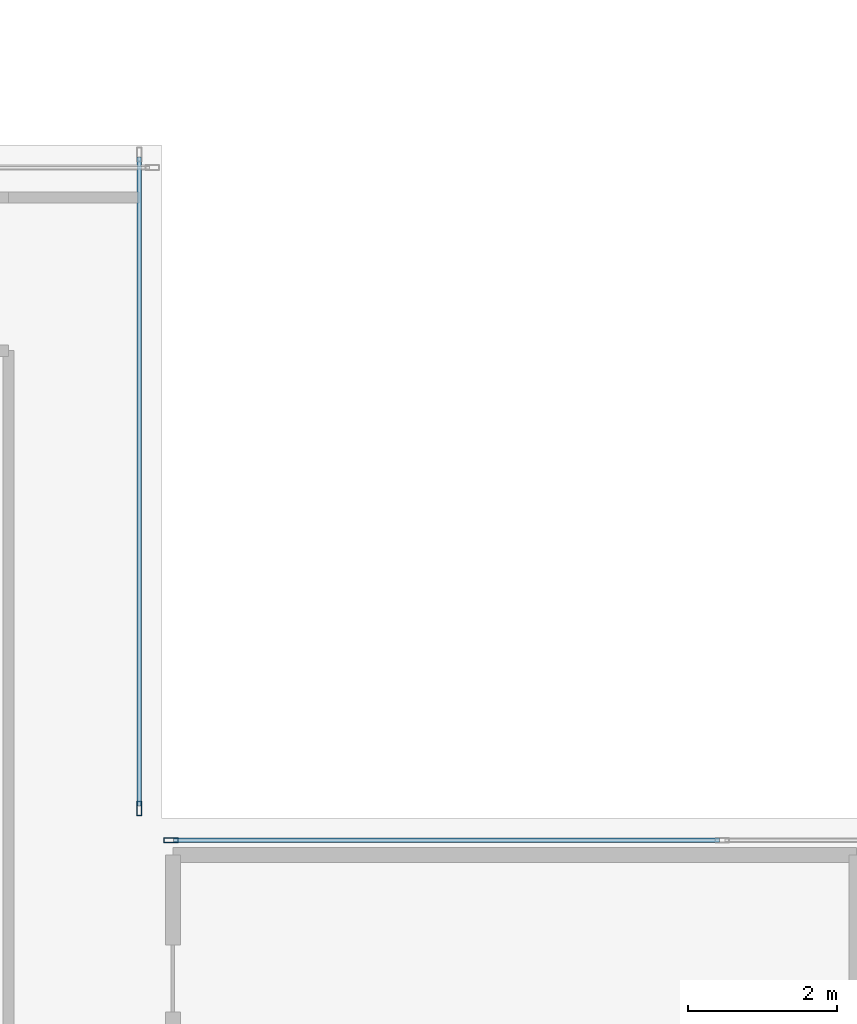
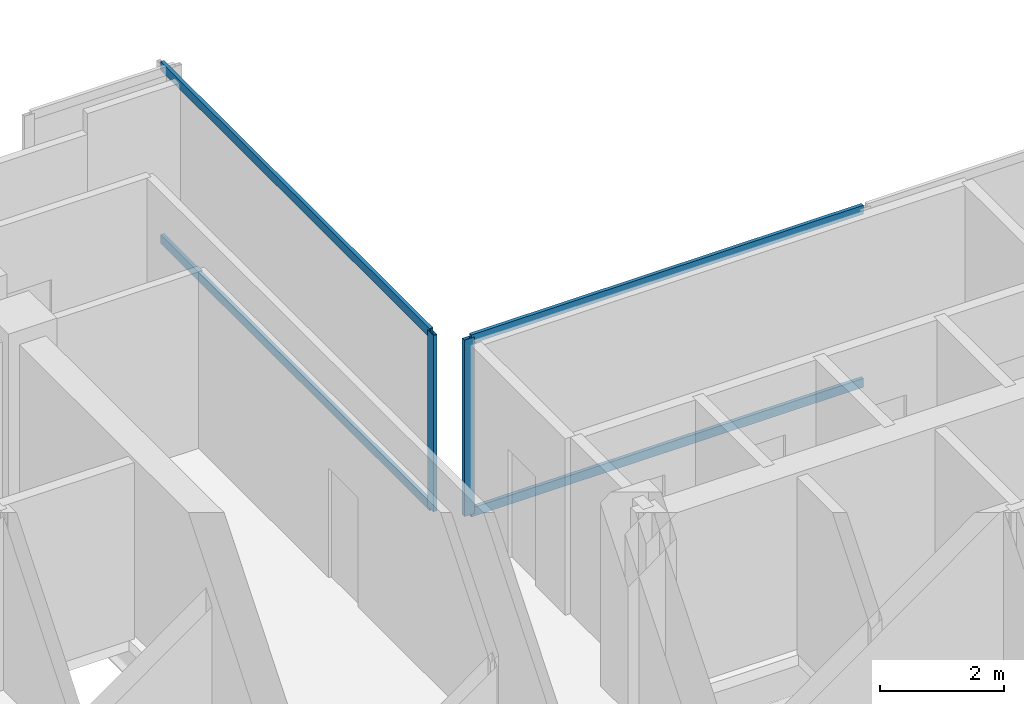
# One storey, part 10 of 26: 6 members, 2 elements without a shape of their own.
"""IFC4 building model written with IfcOpenShell, lengths in metres."""

from ifc_helpers import new_model, si_unit, direction, frame, origin, origin_2d, place, context, subcontext, project, spatial, hollow_rectangle, extrude, material, layer, layer_set, material_profile, profile_set, type_object, element, aggregate, save


model = new_model("IFC4")

# Units and contexts
model_context = context("Model", 3, precision=1e-05, world=origin(), true_north=direction((0.0, 1.0)))
body_context = subcontext(model_context, "Body", "Model", "MODEL_VIEW")
ifc_project = project(units=[si_unit("LENGTHUNIT", "METRE"), si_unit("AREAUNIT", "SQUARE_METRE"), si_unit("VOLUMEUNIT", "CUBIC_METRE"), si_unit("PLANEANGLEUNIT", "RADIAN"), si_unit("MASSUNIT", "GRAM", prefix="KILO"), si_unit("THERMODYNAMICTEMPERATUREUNIT", "KELVIN"), si_unit("POWERUNIT", "WATT")], contexts=[model_context])

# Site, building, storey
site_placement = place(None, origin())
site = spatial("IfcSite", under=ifc_project, at=site_placement, CompositionType="ELEMENT")
building_placement = place(site_placement, origin())
building = spatial("IfcBuilding", under=site, at=building_placement, Name="Svarakhadi Broadcast Tower", CompositionType="ELEMENT")
storey_placement = place(building_placement, frame((0.0, 0.0, 195.449951171875)))
storey = spatial("IfcBuildingStorey", under=building, at=storey_placement, Name="L48", CompositionType="ELEMENT", Elevation=195.449951171875)

# Curtain wall, member
ifc_material = material(Name="Anodised Bronze Aluminium AA 6063-T6", Category="aluminium")
ifc_layer = layer(ifc_material, 0.18994140625)
ifc_layer_set = layer_set([ifc_layer], Name="Anodised Bronze Aluminium AA 6063-T6")
curtain_wall_type = type_object("IfcCurtainWallType", Name="CW_Sys_04", PredefinedType="NOTDEFINED", material=ifc_layer_set)
curtain_wall_1_placement = place(storey_placement, origin())
curtain_wall_1 = element("IfcCurtainWall", 1, at=curtain_wall_1_placement, inside=storey, type_object=curtain_wall_type, Name="L48 Unitised Facade Curtain Wall 09", PredefinedType="NOTDEFINED")
ifc_material_profile_1 = material_profile(ifc_material, hollow_rectangle(XDim=0.070068359375, YDim=0.18994140625, WallThickness=0.005615234375, at=origin_2d()), Name="ALU MULLION 190x70x6")
ifc_profile_set_1 = profile_set([ifc_material_profile_1], Name="Anodised Bronze Aluminium AA 6063-T6")
member_type_1 = type_object("IfcMemberType", Name="CW_Sys_04_Mul", PredefinedType="MULLION", material=ifc_profile_set_1)
member_1_placement = place(storey_placement, frame((23.699951171875, 24.125, 0.0), z_axis=(0.0, 0.0, 1.0), x_axis=(1.0, 0.0, 0.0)))
member_1 = element("IfcMember", 2, at=member_1_placement, type_object=member_type_1, Name="CW-04 mullion 2", PredefinedType="MULLION", context=body_context, shape_type="SweptSolid", body=[
    extrude(hollow_rectangle(XDim=0.070068359375, YDim=0.18994140625, WallThickness=0.005615234375, at=origin_2d()), origin(), (0.0, 0.0, 1.0), 3.47509765625),
])

curtain_wall_2_placement = place(storey_placement, origin())
curtain_wall_2 = element("IfcCurtainWall", 3, at=curtain_wall_2_placement, inside=storey, type_object=curtain_wall_type, Name="L48 Unitised Facade Curtain Wall 10", PredefinedType="NOTDEFINED")
member_2_placement = place(storey_placement, frame((24.125, 23.699951171875, 0.0), z_axis=(0.0, 0.0, 1.0), x_axis=(0.0, 1.0, 0.0)))
member_2 = element("IfcMember", 4, at=member_2_placement, type_object=member_type_1, Name="CW-04 mullion 1", PredefinedType="MULLION", context=body_context, shape_type="SweptSolid", body=[
    extrude(hollow_rectangle(XDim=0.070068359375, YDim=0.18994140625, WallThickness=0.005615234375, at=origin_2d()), origin(), (0.0, 0.0, 1.0), 3.47509765625),
])

# Member
ifc_material_profile_2 = material_profile(ifc_material, hollow_rectangle(XDim=0.06494140625, YDim=0.175048828125, WallThickness=0.0048828125, at=origin_2d()), Name="ALU TRANSOM 175x65x5")
ifc_profile_set_2 = profile_set([ifc_material_profile_2], Name="Anodised Bronze Aluminium AA 6063-T6")
member_type_2 = type_object("IfcMemberType", Name="CW_Sys_04_Trn", PredefinedType="USERDEFINED", material=ifc_profile_set_2)
member_3_placement = place(storey_placement, frame((23.699951171875, 32.840087890625, 0.032470703125), z_axis=(0.0, -1.0, 0.0), x_axis=(1.0, 0.0, 0.0)))
member_3 = element("IfcMember", 5, at=member_3_placement, type_object=member_type_2, Name="CW-04 transom 1.1", ObjectType="TRANSOM", PredefinedType="USERDEFINED", context=body_context, shape_type="SweptSolid", body=[
    extrude(hollow_rectangle(XDim=0.06494140625, YDim=0.175048828125, WallThickness=0.0048828125, at=origin_2d()), origin(), (0.0, 0.0, 1.0), 8.68017578125),
])

member_4_placement = place(storey_placement, frame((23.699951171875, 32.840087890625, 3.442626953125), z_axis=(0.0, -1.0, 0.0), x_axis=(1.0, 0.0, 0.0)))
member_4 = element("IfcMember", 6, at=member_4_placement, type_object=member_type_2, Name="CW-04 transom 1.2", ObjectType="TRANSOM", PredefinedType="USERDEFINED", context=body_context, shape_type="SweptSolid", body=[
    extrude(hollow_rectangle(XDim=0.06494140625, YDim=0.175048828125, WallThickness=0.0048828125, at=origin_2d()), origin(), (0.0, 0.0, 1.0), 8.68017578125),
])

aggregate(curtain_wall_1, [member_1, member_3, member_4])

member_5_placement = place(storey_placement, frame((24.159912109375, 23.699951171875, 0.032470703125), z_axis=(1.0, 0.0, 0.0), x_axis=(0.0, 1.0, 0.0)))
member_5 = element("IfcMember", 7, at=member_5_placement, type_object=member_type_2, Name="CW-04 transom 1.1", ObjectType="TRANSOM", PredefinedType="USERDEFINED", context=body_context, shape_type="SweptSolid", body=[
    extrude(hollow_rectangle(XDim=0.06494140625, YDim=0.175048828125, WallThickness=0.0048828125, at=origin_2d()), origin(), (0.0, 0.0, 1.0), 7.30517578125),
])

member_6_placement = place(storey_placement, frame((24.159912109375, 23.699951171875, 3.442626953125), z_axis=(1.0, 0.0, 0.0), x_axis=(0.0, 1.0, 0.0)))
member_6 = element("IfcMember", 8, at=member_6_placement, type_object=member_type_2, Name="CW-04 transom 1.2", ObjectType="TRANSOM", PredefinedType="USERDEFINED", context=body_context, shape_type="SweptSolid", body=[
    extrude(hollow_rectangle(XDim=0.06494140625, YDim=0.175048828125, WallThickness=0.0048828125, at=origin_2d()), origin(), (0.0, 0.0, 1.0), 7.30517578125),
])

aggregate(curtain_wall_2, [member_2, member_5, member_6])

save(model, "model.ifc")
